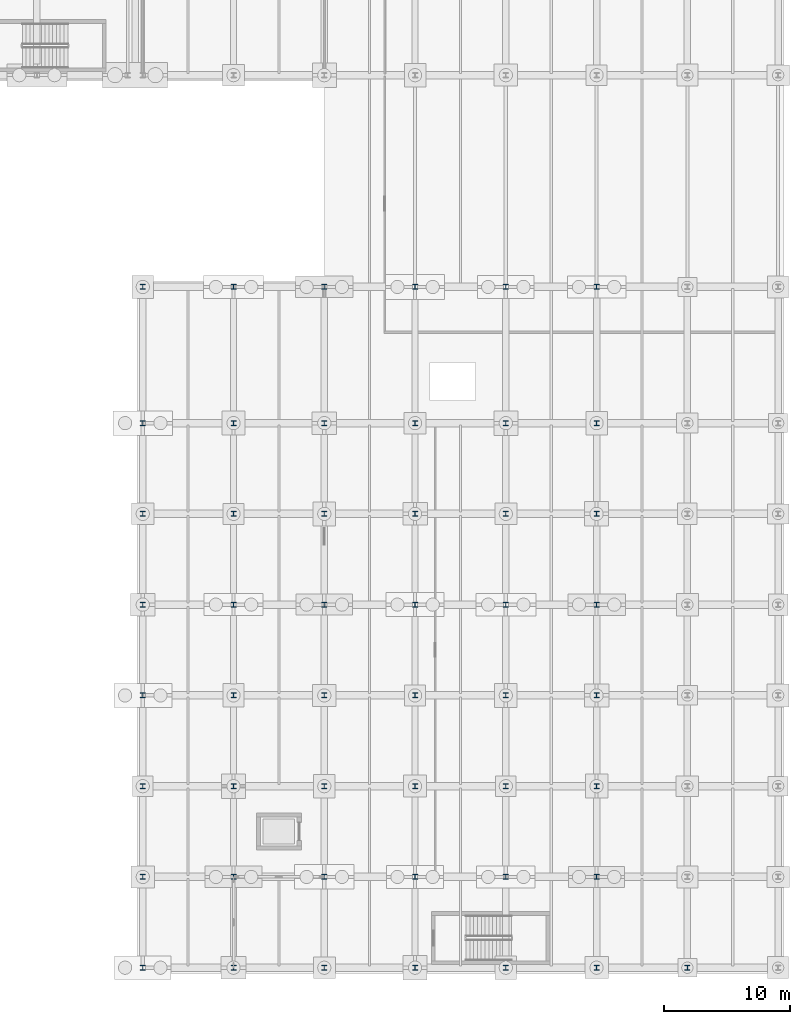
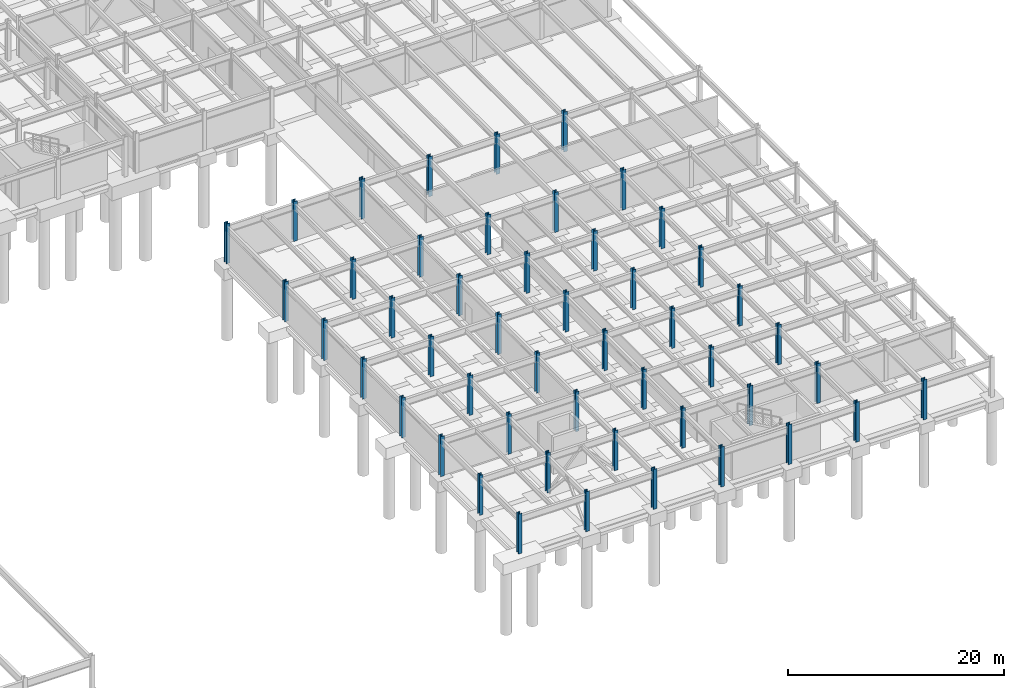
# One storey, part 23 of 54: 49 columns.
"""IFC4 building model written with IfcOpenShell, lengths in metres."""

from ifc_helpers import new_model, si_unit, direction, frame, origin, origin_2d, place, context, subcontext, project, spatial, i_section, extrude, material, material_profile, profile_set, type_object, element, save


model = new_model("IFC4")

# Units and contexts
model_context = context("Model", 3, precision=1e-05, world=origin(), true_north=direction((0.0, 1.0)))
body_context = subcontext(model_context, "Body", "Model", "MODEL_VIEW")
ifc_project = project(units=[si_unit("LENGTHUNIT", "METRE"), si_unit("AREAUNIT", "SQUARE_METRE"), si_unit("VOLUMEUNIT", "CUBIC_METRE"), si_unit("PLANEANGLEUNIT", "RADIAN"), si_unit("MASSUNIT", "GRAM", prefix="KILO")], contexts=[model_context])

# Site, building, storey
site_placement = place(None, origin())
site = spatial("IfcSite", under=ifc_project, at=site_placement, CompositionType="ELEMENT")
building_placement = place(site_placement, origin())
building = spatial("IfcBuilding", under=site, at=building_placement, Name="Vaelcorin Mobility Hub", CompositionType="ELEMENT")
storey_placement = place(building_placement, frame((0.0, 0.0, -4.5)))
storey = spatial("IfcBuildingStorey", under=building, at=storey_placement, Name="B1", CompositionType="ELEMENT", Elevation=-4.5)

# Columns
ifc_material = material(Name="Steel ASTM A992 Grade 50", Category="steel")
ifc_material_profile = material_profile(ifc_material, i_section(OverallWidth=0.39892578125, OverallDepth=0.39404296875, WebThickness=0.022705078125, FlangeThickness=0.03662109375, FilletRadius=0.014892578125, at=origin_2d()), Name="W14X193")
ifc_profile_set = profile_set([ifc_material_profile], Name="Steel ASTM A992 Grade 50")
column_type = type_object("IfcColumnType", Name="COL-W14X193", PredefinedType="COLUMN", material=ifc_profile_set)
for number, where, z_axis, x_axis, name in (
    (1, (153.60009765625, 6.0, 0.0), (0.0, 0.0, 1.0), (1.0, 0.0, 0.0), "Column V5-X01Y01 B1"),
    (2, (153.60009765625, 13.199951171875, 0.0), (0.0, 0.0, 1.0), (1.0, 0.0, 0.0), "Column V5-X01Y02 B1"),
    (3, (153.60009765625, 20.39990234375, 0.0), (0.0, 0.0, 1.0), (1.0, 0.0, 0.0), "Column V5-X01Y03 B1"),
    (4, (153.60009765625, 27.60009765625, 0.0), (0.0, 0.0, 1.0), (1.0, 0.0, 0.0), "Column V5-X01Y04 B1"),
    (5, (153.60009765625, 34.800048828125, 0.0), (0.0, 0.0, 1.0), (1.0, 0.0, 0.0), "Column V5-X01Y05 B1"),
    (6, (153.60009765625, 42.0, 0.0), (0.0, 0.0, 1.0), (1.0, 0.0, 0.0), "Column V5-X01Y06 B1"),
    (7, (153.60009765625, 49.199951171875, 0.0), (0.0, 0.0, 1.0), (1.0, 0.0, 0.0), "Column V5-X01Y07 B1"),
    (8, (153.60009765625, 60.0, 0.0), (0.0, 0.0, 1.0), (1.0, 0.0, 0.0), "Column V5-X01Y08 B1"),
    (9, (160.800048828125, 6.0, 0.0), (0.0, 0.0, 1.0), (1.0, 0.0, 0.0), "Column V5-X02Y01 B1"),
    (10, (160.800048828125, 13.199951171875, 0.0), (0.0, 0.0, 1.0), (1.0, 0.0, 0.0), "Column V5-X02Y02 B1"),
    (11, (160.800048828125, 20.39990234375, 0.0), (0.0, 0.0, 1.0), (1.0, 0.0, 0.0), "Column V5-X02Y03 B1"),
    (12, (160.800048828125, 27.60009765625, 0.0), (0.0, 0.0, 1.0), (1.0, 0.0, 0.0), "Column V5-X02Y04 B1"),
    (13, (160.800048828125, 34.800048828125, 0.0), (0.0, 0.0, 1.0), (1.0, 0.0, 0.0), "Column V5-X02Y05 B1"),
    (14, (160.800048828125, 42.0, 0.0), (0.0, 0.0, 1.0), (1.0, 0.0, 0.0), "Column V5-X02Y06 B1"),
    (15, (160.800048828125, 49.199951171875, 0.0), (0.0, 0.0, 1.0), (1.0, 0.0, 0.0), "Column V5-X02Y07 B1"),
    (16, (160.800048828125, 60.0, 0.0), (0.0, 0.0, 1.0), (1.0, 0.0, 0.0), "Column V5-X02Y08 B1"),
    (17, (168.0, 6.0, 0.0), (0.0, 0.0, 1.0), (1.0, 0.0, 0.0), "Column V5-X03Y01 B1"),
    (18, (168.0, 13.199951171875, 0.0), (0.0, 0.0, 1.0), (1.0, 0.0, 0.0), "Column V5-X03Y02 B1"),
    (19, (168.0, 20.39990234375, 0.0), (0.0, 0.0, 1.0), (1.0, 0.0, 0.0), "Column V5-X03Y03 B1"),
    (20, (168.0, 27.60009765625, 0.0), (0.0, 0.0, 1.0), (1.0, 0.0, 0.0), "Column V5-X03Y04 B1"),
    (21, (168.0, 34.800048828125, 0.0), (0.0, 0.0, 1.0), (1.0, 0.0, 0.0), "Column V5-X03Y05 B1"),
    (22, (168.0, 42.0, 0.0), (0.0, 0.0, 1.0), (1.0, 0.0, 0.0), "Column V5-X03Y06 B1"),
    (23, (168.0, 49.199951171875, 0.0), (0.0, 0.0, 1.0), (1.0, 0.0, 0.0), "Column V5-X03Y07 B1"),
    (24, (168.0, 60.0, 0.0), (0.0, 0.0, 1.0), (1.0, 0.0, 0.0), "Column V5-X03Y08 B1"),
    (25, (175.199951171875, 6.0, 0.0), (0.0, 0.0, 1.0), (1.0, 0.0, 0.0), "Column V5-X04Y01 B1"),
    (26, (175.199951171875, 13.199951171875, 0.0), (0.0, 0.0, 1.0), (1.0, 0.0, 0.0), "Column V5-X04Y02 B1"),
    (27, (175.199951171875, 20.39990234375, 0.0), (0.0, 0.0, 1.0), (1.0, 0.0, 0.0), "Column V5-X04Y03 B1"),
    (28, (175.199951171875, 27.60009765625, 0.0), (0.0, 0.0, 1.0), (1.0, 0.0, 0.0), "Column V5-X04Y04 B1"),
    (29, (175.199951171875, 34.800048828125, 0.0), (0.0, 0.0, 1.0), (1.0, 0.0, 0.0), "Column V5-X04Y05 B1"),
    (30, (175.199951171875, 42.0, 0.0), (0.0, 0.0, 1.0), (1.0, 0.0, 0.0), "Column V5-X04Y06 B1"),
    (31, (175.199951171875, 49.199951171875, 0.0), (0.0, 0.0, 1.0), (1.0, 0.0, 0.0), "Column V5-X04Y07 B1"),
    (32, (175.199951171875, 60.0, 0.0), (0.0, 0.0, 1.0), (1.0, 0.0, 0.0), "Column V5-X04Y08 B1"),
    (33, (182.39990234375, 6.0, 0.0), (0.0, 0.0, 1.0), (1.0, 0.0, 0.0), "Column V5-X05Y01 B1"),
    (34, (182.39990234375, 13.199951171875, 0.0), (0.0, 0.0, 1.0), (1.0, 0.0, 0.0), "Column V5-X05Y02 B1"),
    (35, (182.39990234375, 20.39990234375, 0.0), (0.0, 0.0, 1.0), (1.0, 0.0, 0.0), "Column V5-X05Y03 B1"),
    (36, (182.39990234375, 27.60009765625, 0.0), (0.0, 0.0, 1.0), (1.0, 0.0, 0.0), "Column V5-X05Y04 B1"),
    (37, (182.39990234375, 34.800048828125, 0.0), (0.0, 0.0, 1.0), (1.0, 0.0, 0.0), "Column V5-X05Y05 B1"),
    (38, (182.39990234375, 42.0, 0.0), (0.0, 0.0, 1.0), (1.0, 0.0, 0.0), "Column V5-X05Y06 B1"),
    (39, (182.39990234375, 49.199951171875, 0.0), (0.0, 0.0, 1.0), (1.0, 0.0, 0.0), "Column V5-X05Y07 B1"),
    (40, (182.39990234375, 60.0, 0.0), (0.0, 0.0, 1.0), (1.0, 0.0, 0.0), "Column V5-X05Y08 B1"),
    (41, (189.60009765625, 6.0, 0.0), (0.0, 0.0, 1.0), (1.0, 0.0, 0.0), "Column V5-X06Y01 B1"),
    (42, (189.60009765625, 13.199951171875, 0.0), (0.0, 0.0, 1.0), (1.0, 0.0, 0.0), "Column V5-X06Y02 B1"),
    (43, (189.60009765625, 20.39990234375, 0.0), (0.0, 0.0, 1.0), (1.0, 0.0, 0.0), "Column V5-X06Y03 B1"),
    (44, (189.60009765625, 27.60009765625, 0.0), (0.0, 0.0, 1.0), (1.0, 0.0, 0.0), "Column V5-X06Y04 B1"),
    (45, (189.60009765625, 34.800048828125, 0.0), (0.0, 0.0, 1.0), (1.0, 0.0, 0.0), "Column V5-X06Y05 B1"),
    (46, (189.60009765625, 42.0, 0.0), (0.0, 0.0, 1.0), (1.0, 0.0, 0.0), "Column V5-X06Y06 B1"),
    (47, (189.60009765625, 49.199951171875, 0.0), (0.0, 0.0, 1.0), (1.0, 0.0, 0.0), "Column V5-X06Y07 B1"),
    (48, (189.60009765625, 60.0, 0.0), (0.0, 0.0, 1.0), (1.0, 0.0, 0.0), "Column V5-X06Y08 B1"),
    (49, (196.800048828125, 6.0, 0.0), (0.0, 0.0, 1.0), (1.0, 0.0, 0.0), "Column V5-X07Y01 B1"),
):
    element("IfcColumn", number, at=place(storey_placement, frame(where, z_axis=z_axis, x_axis=x_axis)), inside=storey, type_object=column_type, Name=name, PredefinedType="COLUMN", context=body_context, shape_type="SweptSolid", body=[
        extrude(i_section(OverallWidth=0.39892578125, OverallDepth=0.39404296875, WebThickness=0.022705078125, FlangeThickness=0.03662109375, FilletRadius=0.014892578125, at=origin_2d()), origin(), (0.0, 0.0, 1.0), 4.5),
    ])

save(model, "model.ifc")
